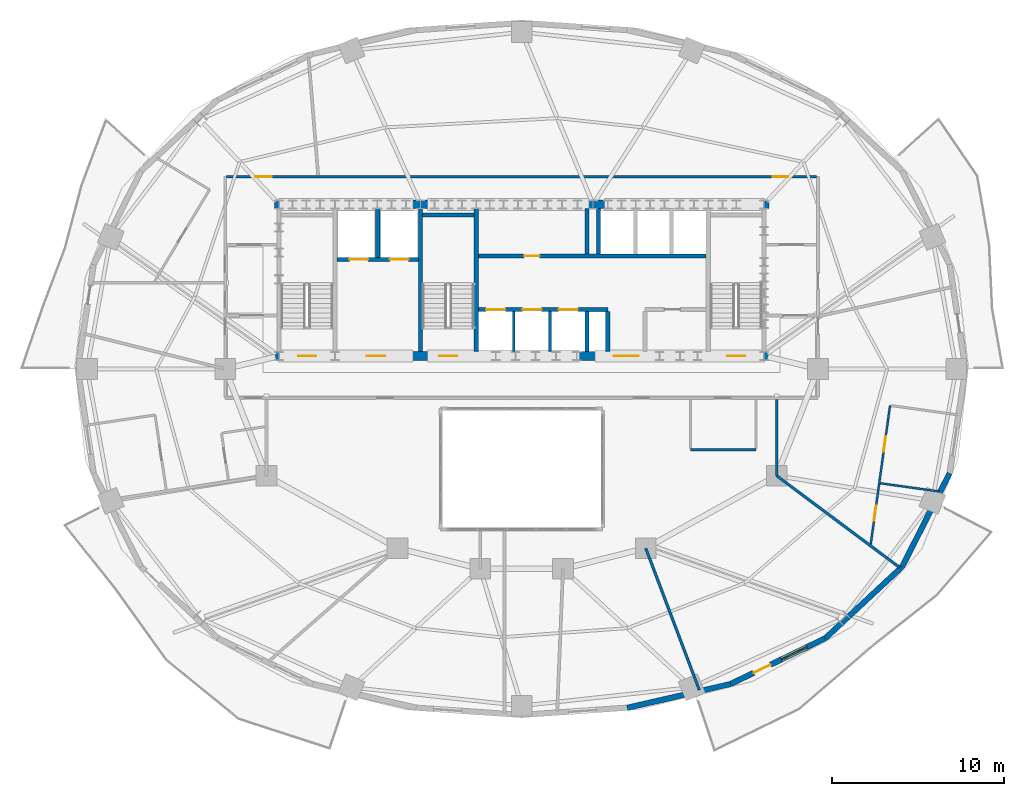
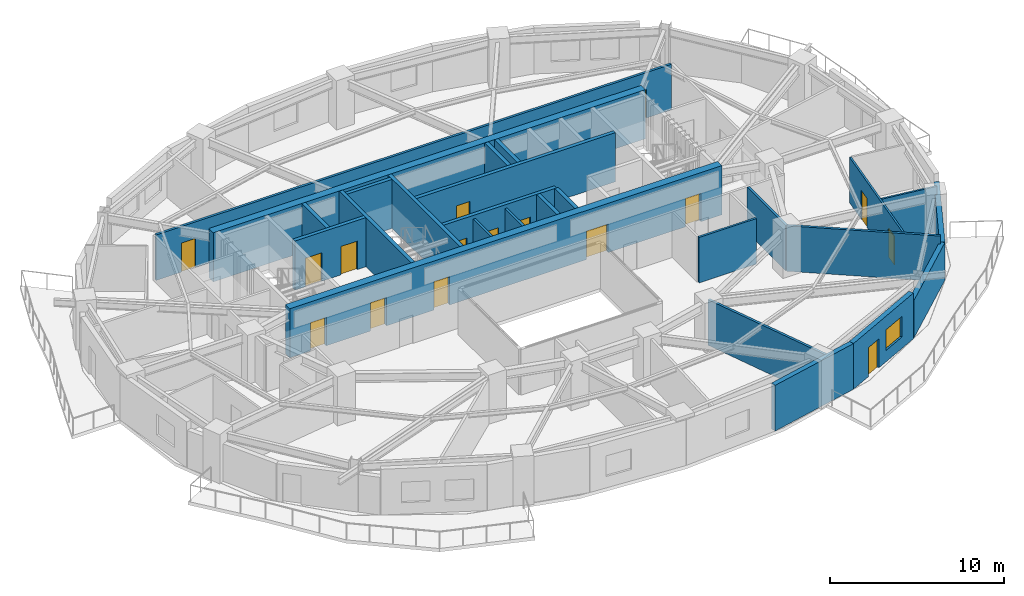
# One storey, part 7 of 12: 26 walls, 16 doors, 1 window, 17 openings.
"""IFC4 building model written with IfcOpenShell, lengths in metres."""

import ifcopenshell
import ifcopenshell.guid

model = None  # the IFC model being written
_history = None  # IfcOwnerHistory: only IFC2X3 demands one
_inside = {}  # id of a spatial element -> (the spatial element, [elements in it])
_under = {}  # id of a project, library or spatial element -> (it, [spatial elements below it])
_declared = {}  # id of a project -> (the project, [libraries it declares])
_typed = {}  # id of a type object -> (the type object, [elements of that type])
_made_of = {}  # id of a material, layer set ... -> (it, [elements and type objects made of it])


def new_model(schema):
    """Start an empty IFC model of exactly this schema.

    Asked for "IFC4X3", IfcOpenShell would pick the latest addendum, in which some entities
    have other attributes; the version numbers below select the first issue.
    IFC2X3 requires an IfcOwnerHistory on every rooted entity: one is made here for all.
    """
    global model, _history
    if schema == "IFC4X3":
        model = ifcopenshell.file(schema_version=(4, 3, 0, 0))
    else:
        model = ifcopenshell.file(schema=schema)
    _inside.clear()
    _under.clear()
    _declared.clear()
    _typed.clear()
    _made_of.clear()
    _history = None
    if model.schema == "IFC2X3":
        org = make("IfcOrganization", Name="unknown")
        user = make(
            "IfcPersonAndOrganization",
            ThePerson=make("IfcPerson", FamilyName="unknown"),
            TheOrganization=org,
        )
        app = make(
            "IfcApplication",
            ApplicationDeveloper=org,
            Version="unknown",
            ApplicationFullName="unknown",
            ApplicationIdentifier="unknown",
        )
        _history = make(
            "IfcOwnerHistory",
            OwningUser=user,
            OwningApplication=app,
            ChangeAction="ADDED",
            CreationDate=0,
        )
    return model


def make(cls, **values):
    """One entity of the class cls with the attributes given. An attribute that is None is left unset."""
    return model.create_entity(
        cls, **{name: value for name, value in values.items() if value is not None}
    )


def rooted(cls, **values):
    """An entity with a GlobalId (a new one), such as an element, a storey or a relation."""
    return make(cls, GlobalId=ifcopenshell.guid.new(), OwnerHistory=_history, **values)


def si_unit(unit_type, name, prefix=None):
    """IfcSIUnit, for example si_unit("LENGTHUNIT", "METRE", prefix="MILLI")."""
    return make("IfcSIUnit", UnitType=unit_type, Prefix=prefix, Name=name)


def assignment(units):
    """IfcUnitAssignment: the units of a project."""
    return None if units is None else make("IfcUnitAssignment", Units=units)


def point(xyz):
    """IfcCartesianPoint."""
    return None if xyz is None else make("IfcCartesianPoint", Coordinates=xyz)


def direction(xyz):
    """IfcDirection."""
    return None if xyz is None else make("IfcDirection", DirectionRatios=xyz)


def frame(location, z_axis=None, x_axis=None):
    """IfcAxis2Placement3D, a coordinate frame: its origin and axes. An axis left out is left unset."""
    return make(
        "IfcAxis2Placement3D",
        Location=point(location),
        Axis=direction(z_axis),
        RefDirection=direction(x_axis),
    )


def frame_2d(location, x_axis=None):
    """IfcAxis2Placement2D, a coordinate frame in the plane: its origin and x axis."""
    return make(
        "IfcAxis2Placement2D", Location=point(location), RefDirection=direction(x_axis)
    )


def origin():
    """The frame at (0, 0, 0) with its axes left unset."""
    return frame((0.0, 0.0, 0.0))


def place(relative_to, where):
    """IfcLocalPlacement: puts the frame where relative to a parent placement (None: the world)."""
    return make(
        "IfcLocalPlacement", PlacementRelTo=relative_to, RelativePlacement=where
    )


def context(
    kind, dimensions, precision=None, world=None, true_north=None, identifier=None
):
    """IfcGeometricRepresentationContext, for example the 3D "Model" context."""
    return make(
        "IfcGeometricRepresentationContext",
        ContextIdentifier=identifier,
        ContextType=kind,
        CoordinateSpaceDimension=dimensions,
        Precision=precision,
        WorldCoordinateSystem=world,
        TrueNorth=true_north,
    )


def subcontext(parent, identifier, kind, view, scale=None):
    """IfcGeometricRepresentationSubContext, for example "Body" below "Model"."""
    return make(
        "IfcGeometricRepresentationSubContext",
        ContextIdentifier=identifier,
        ContextType=kind,
        ParentContext=parent,
        TargetScale=scale,
        TargetView=view,
    )


def project(units=None, contexts=None):
    """IfcProject with its units and contexts."""
    return rooted(
        "IfcProject",
        Name="project",
        RepresentationContexts=contexts,
        UnitsInContext=assignment(units),
    )


def spatial(cls, under=None, at=None, **own):
    """A site, building, storey or space (cls), placed at a placement, below another one or the project."""
    s = rooted(cls, ObjectPlacement=at, **own)
    if under is not None:
        _under.setdefault(under.id(), (under, []))[1].append(s)
    return s


def profile(cls, at=None, kind="AREA", **sizes):
    """A parametric profile (cls). Its sizes go by their IFC names, for example OverallWidth=200.0."""
    return make(cls, ProfileType=kind, Position=at, **sizes)


def rectangle(**sizes):
    """IfcRectangleProfileDef."""
    return profile("IfcRectangleProfileDef", **sizes)


def extrude(swept, where, along, depth):
    """IfcExtrudedAreaSolid: the profile swept, set in the frame where, extruded along a direction by depth."""
    return make(
        "IfcExtrudedAreaSolid",
        SweptArea=swept,
        Position=where,
        ExtrudedDirection=direction(along),
        Depth=depth,
    )


def shape(context_of_items, identifier, shape_type, items):
    """IfcShapeRepresentation: the items that make up one representation, for example the "Body"."""
    return make(
        "IfcShapeRepresentation",
        ContextOfItems=context_of_items,
        RepresentationIdentifier=identifier,
        RepresentationType=shape_type,
        Items=items,
    )


def material(Name=None, Category=None):
    """IfcMaterial."""
    return make("IfcMaterial", Name=Name, Category=Category)


def layer(
    of_material, thickness, ventilated=None, Name=None, Category=None, Priority=None
):
    """IfcMaterialLayer: one layer of a wall or slab, of a material (None: an air gap)."""
    return make(
        "IfcMaterialLayer",
        Material=of_material,
        LayerThickness=thickness,
        IsVentilated=ventilated,
        Name=Name,
        Category=Category,
        Priority=Priority,
    )


def layer_set(layers, Name=None):
    """IfcMaterialLayerSet."""
    return make("IfcMaterialLayerSet", MaterialLayers=layers, LayerSetName=Name)


def made_of(thing, what):
    """Note that an element or type object is made of a material, layer set ...; save() writes the relation."""
    if what is not None:
        _made_of.setdefault(what.id(), (what, []))[1].append(thing)
    return thing


def type_object(cls, material=None, **own):
    """A type object (cls), such as IfcWallType, which elements share."""
    return made_of(rooted(cls, **own), material)


def element(
    cls,
    number,
    at=None,
    inside=None,
    cuts=None,
    type_object=None,
    material=None,
    context=None,
    identifier="Body",
    shape_type=None,
    held_by="IfcProductDefinitionShape",
    body=None,
    shapes=None,
    **own,
):
    """One element of the class cls, such as IfcWall. Its Tag is "e" and its number.

    at: its placement. inside: the storey or other place that contains it. cuts: it is an
    opening in that element (IfcRelVoidsElement). A single representation is given by context,
    identifier, shape_type and body (its items); several are given by shapes. held_by: the class
    of the entity that holds the representations. save() writes the other relations.
    """
    e = rooted(cls, Tag="e%d" % number, ObjectPlacement=at, **own)
    if body is not None:
        shapes = [shape(context, identifier, shape_type, body)]
    if shapes is not None:
        e.Representation = make(held_by, Representations=shapes)
    if inside is not None:
        _inside.setdefault(inside.id(), (inside, []))[1].append(e)
    if cuts is not None:
        rooted(
            "IfcRelVoidsElement", RelatingBuildingElement=cuts, RelatedOpeningElement=e
        )
    if type_object is not None:
        _typed.setdefault(type_object.id(), (type_object, []))[1].append(e)
    return made_of(e, material)


def fill(opening, filler):
    """IfcRelFillsElement: the door or window that sits in an opening."""
    return rooted(
        "IfcRelFillsElement",
        RelatingOpeningElement=opening,
        RelatedBuildingElement=filler,
    )


def aggregate(whole, parts):
    """IfcRelAggregates: a whole, such as a stair, and the parts it consists of."""
    return rooted("IfcRelAggregates", RelatingObject=whole, RelatedObjects=parts)


def save(model, path):
    """Write the relations noted so far, then the file.

    IfcRelAggregates (storeys below a building ...), IfcRelContainedInSpatialStructure (elements
    in a storey), IfcRelDefinesByType, IfcRelAssociatesMaterial and IfcRelDeclares: one each for
    every whole, place, type object, material and project.
    """
    for whole, parts in _under.values():
        aggregate(whole, parts)
    for where, things in _inside.values():
        rooted(
            "IfcRelContainedInSpatialStructure",
            RelatedElements=things,
            RelatingStructure=where,
        )
    for kind, things in _typed.values():
        rooted("IfcRelDefinesByType", RelatedObjects=things, RelatingType=kind)
    for what, things in _made_of.values():
        rooted("IfcRelAssociatesMaterial", RelatedObjects=things, RelatingMaterial=what)
    for by, libraries in _declared.values():
        rooted("IfcRelDeclares", RelatingContext=by, RelatedDefinitions=libraries)
    model.write(path)


model = new_model("IFC4")

# Units and contexts
model_context = context("Model", 3, precision=1e-05, world=origin(), true_north=direction((0.0, 1.0)))
body_context = subcontext(model_context, "Body", "Model", "MODEL_VIEW")
ifc_project = project(units=[si_unit("LENGTHUNIT", "METRE"), si_unit("AREAUNIT", "SQUARE_METRE"), si_unit("VOLUMEUNIT", "CUBIC_METRE"), si_unit("PLANEANGLEUNIT", "RADIAN"), si_unit("MASSUNIT", "GRAM", prefix="KILO")], contexts=[model_context])

# Site, building, storey
site_placement = place(None, origin())
site = spatial("IfcSite", under=ifc_project, at=site_placement, CompositionType="ELEMENT")
building_placement = place(site_placement, origin())
building = spatial("IfcBuilding", under=site, at=building_placement, Name="Haldorwick Loom Tower", CompositionType="ELEMENT")
storey_placement = place(building_placement, frame((0.0, 0.0, 161.35009765625)))
storey = spatial("IfcBuildingStorey", under=building, at=storey_placement, Name="L43", CompositionType="ELEMENT", Elevation=161.35009765625)

# Wall
ifc_material_1 = material(Name="Pressed Clay Face Brick and Insulated Masonry Backup Assembly", Category="masonry")
ifc_layer_1 = layer(ifc_material_1, 0.320068359375, Name="Pressed Clay Face Brick and Insulated Masonry Backup Assembly", Category="masonry")
ifc_layer_set_1 = layer_set([ifc_layer_1], Name="Pressed Clay Face Brick and Insulated Masonry Backup Assembly")
wall_type_1 = type_object("IfcWallType", Name="ARC-WL-EXT320", PredefinedType="STANDARD", material=ifc_layer_set_1)
wall_1_placement = place(storey_placement, frame((42.12890625, 6.3359375, 0.0), z_axis=(0.0, 0.0, 1.0), x_axis=(0.974593223547, 0.223982250674, 0.0)))
element("IfcWall", 1, at=wall_1_placement, inside=storey, type_object=wall_type_1, Name="L43 Brick Pier and Spandrel Wall 20", PredefinedType="STANDARD", context=body_context, shape_type="SweptSolid", body=[
    extrude(rectangle(XDim=6.138916015625, YDim=0.320068359375, at=frame_2d((3.0693359375, 0.0))), origin(), (0.0, 0.0, 1.0), 3.2099609375),
])

# Wall, openings, door, window
wall_2_placement = place(storey_placement, frame((48.11181640625, 7.7109375, 0.0), z_axis=(0.0, 0.0, 1.0), x_axis=(0.900479976617, 0.434897472644, 0.0)))
wall_2 = element("IfcWall", 2, at=wall_2_placement, inside=storey, type_object=wall_type_1, Name="L43 Brick Pier and Spandrel Wall 21", PredefinedType="STANDARD", context=body_context, shape_type="SweptSolid", body=[
    extrude(rectangle(XDim=6.118408203125, YDim=0.320068359375, at=frame_2d((3.05908203125, 0.0))), origin(), (0.0, 0.0, 1.0), 3.2099609375),
])
opening_1_placement = place(wall_2_placement, frame((1.50634765625, 0.0, 0.0)))
opening_1 = element("IfcOpeningElement", 3, at=opening_1_placement, cuts=wall_2, Name="Opening D-BL11", PredefinedType="OPENING", context=body_context, shape_type="SweptSolid", body=[
    extrude(rectangle(XDim=1.080078125, YDim=2.0400390625, at=frame_2d((0.5400390625, 1.02001953125))), frame((0.0, 0.169921875, 0.0), z_axis=(0.0, -1.0, 0.0), x_axis=(1.0, 0.0, 0.0)), (0.0, 0.0, 1.0), 0.340087890625),
])
opening_2_placement = place(wall_2_placement, frame((3.28662109375, 0.0, 0.800048828125)))
opening_2 = element("IfcOpeningElement", 4, at=opening_2_placement, cuts=wall_2, Name="Opening W-01B", PredefinedType="OPENING", context=body_context, shape_type="SweptSolid", body=[
    extrude(rectangle(XDim=1.64990234375, YDim=1.449951171875, at=frame_2d((0.824951171875, 0.72509765625))), frame((0.0, 0.169921875, 0.0), z_axis=(0.0, -1.0, 0.0), x_axis=(1.0, 0.0, 0.0)), (0.0, 0.0, 1.0), 0.340087890625),
])
ifc_material_2 = material(Name="Thermally Broken Anodized Aluminium Curtain Wall Framing", Category="aluminium")
door_type_1 = type_object("IfcDoorType", Name="ARC-DR-BAL110", OperationType="NOTDEFINED", PredefinedType="DOOR", material=ifc_material_2)
door_1_placement = place(opening_1_placement, origin())
door_1 = element("IfcDoor", 5, at=door_1_placement, inside=storey, type_object=door_type_1, Name="L43 Outdoor Terrace Door SLB-L43-BAL_SE", OperationType="SINGLE_SWING_RIGHT", OverallHeight=2.0400390625, OverallWidth=1.080078125, PredefinedType="DOOR", context=body_context, shape_type="SweptSolid", body=[
    extrude(rectangle(XDim=1.080078125, YDim=2.0400390625, at=frame_2d((0.5400390625, 1.02001953125))), frame((0.0, 0.02490234375, 0.0), z_axis=(0.0, -1.0, 0.0), x_axis=(1.0, 0.0, 0.0)), (0.0, 0.0, 1.0), 0.050048828125),
])
fill(opening_1, door_1)
ifc_material_3 = material(Name="Triple-Glazed Low-E Argon Insulated Glazing Unit", Category="glass")
window_type = type_object("IfcWindowType", Name="ARC-WIN-W165", PartitioningType="SINGLE_PANEL", PredefinedType="WINDOW", material=ifc_material_3)
window_placement = place(opening_2_placement, origin())
window = element("IfcWindow", 6, at=window_placement, inside=storey, type_object=window_type, Name="L43 Deep-Set Zone 7A Window 21", OverallHeight=1.449951171875, OverallWidth=1.64990234375, PartitioningType="SINGLE_PANEL", PredefinedType="WINDOW", context=body_context, shape_type="SweptSolid", body=[
    extrude(rectangle(XDim=1.64990234375, YDim=1.449951171875, at=frame_2d((0.824951171875, 0.72509765625))), frame((0.0, 0.030029296875, 0.0), z_axis=(0.0, -1.0, 0.0), x_axis=(1.0, 0.0, 0.0)), (0.0, 0.0, 1.0), 0.06005859375),
])
fill(opening_2, window)

# Walls
for number, where, z_axis, x_axis, name in (
    (7, (53.621337890625, 10.371826171875, 0.0), (0.0, 0.0, 1.0), (0.731982952968, 0.681322945866, 0.0), "L43 Brick Pier and Spandrel Wall 22"),
    (8, (58.07666015625, 14.518798828125, 0.0), (0.0, 0.0, 1.0), (0.453172129629, 0.89142303141, 0.0), "L43 Brick Pier and Spandrel Wall 23"),
):
    element("IfcWall", number, at=place(storey_placement, frame(where, z_axis=z_axis, x_axis=x_axis)), inside=storey, type_object=wall_type_1, Name=name, PredefinedType="STANDARD", context=body_context, shape_type="SweptSolid", body=[
        extrude(rectangle(XDim=6.086669921875, YDim=0.320068359375, at=frame_2d((3.04345703125, 0.0))), origin(), (0.0, 0.0, 1.0), 2.640869140625),
    ])

# Wall, openings, doors
ifc_material_4 = material(Name="Fire-Rated Type X Gypsum Stud Assembly EI 60")
ifc_layer_2 = layer(ifc_material_4, 0.159912109375, Name="Fire-Rated Type X Gypsum Stud Assembly EI 60")
ifc_layer_set_2 = layer_set([ifc_layer_2], Name="Fire-Rated Type X Gypsum Stud Assembly EI 60")
wall_type_2 = type_object("IfcWallType", Name="ARC-WL-FIRE160", PredefinedType="PARTITIONING", material=ifc_layer_set_2)
wall_3_placement = place(storey_placement, frame((18.883056640625, 37.14990234375, 0.0), z_axis=(0.0, 0.0, 1.0), x_axis=(1.0, 0.0, 0.0)))
wall_3 = element("IfcWall", 9, at=wall_3_placement, inside=storey, type_object=wall_type_2, Name="L43 Residential Fire Partition L43-CR-N0", PredefinedType="PARTITIONING", context=body_context, shape_type="SweptSolid", body=[
    extrude(rectangle(XDim=34.23388671875, YDim=0.159912109375, at=frame_2d((17.116943359375, 0.0))), origin(), (0.0, 0.0, 1.0), 3.19482421875),
])
opening_3_placement = place(wall_3_placement, frame((31.67431640625, 0.0, 0.0)))
opening_3 = element("IfcOpeningElement", 10, at=opening_3_placement, cuts=wall_3, Name="Opening D-FD60A", PredefinedType="OPENING", context=body_context, shape_type="SweptSolid", body=[
    extrude(rectangle(XDim=0.89990234375, YDim=2.0, at=frame_2d((0.449951171875, 1.0))), frame((0.0, 0.08984375, 0.0), z_axis=(0.0, -1.0, 0.0), x_axis=(1.0, 0.0, 0.0)), (0.0, 0.0, 1.0), 0.179931640625),
])
opening_4_placement = place(wall_3_placement, frame((1.663330078125, 0.0, 0.0)))
opening_4 = element("IfcOpeningElement", 11, at=opening_4_placement, cuts=wall_3, Name="Opening D-FL95", PredefinedType="OPENING", context=body_context, shape_type="SweptSolid", body=[
    extrude(rectangle(XDim=0.949951171875, YDim=2.0400390625, at=frame_2d((0.47509765625, 1.02001953125))), frame((0.0, 0.08984375, 0.0), z_axis=(0.0, -1.0, 0.0), x_axis=(1.0, 0.0, 0.0)), (0.0, 0.0, 1.0), 0.179931640625),
])
ifc_material_5 = material(Name="Hollow Steel Fire Door Assembly", Category="steel")
door_type_2 = type_object("IfcDoorType", Name="ARC-DR-FD60-90", OperationType="NOTDEFINED", PredefinedType="DOOR", material=ifc_material_5)
door_2_placement = place(opening_3_placement, frame((0.89990234375, 0.0, 0.0), z_axis=(0.0, 0.0, 1.0), x_axis=(-1.0, 0.0, 0.0)))
door_2 = element("IfcDoor", 12, at=door_2_placement, inside=storey, type_object=door_type_2, Name="L43 Co-Working Open Office 7 to L43 North Residential Corridor Door", OperationType="SINGLE_SWING_RIGHT", OverallHeight=2.0, OverallWidth=0.89990234375, PredefinedType="DOOR", context=body_context, shape_type="SweptSolid", body=[
    extrude(rectangle(XDim=0.89990234375, YDim=2.0, at=frame_2d((0.449951171875, 1.0))), frame((0.0, 0.02490234375, 0.0), z_axis=(0.0, -1.0, 0.0), x_axis=(1.0, 0.0, 0.0)), (0.0, 0.0, 1.0), 0.050048828125),
])
fill(opening_3, door_2)
ifc_material_6 = material(Name="Solid Core Birch Architectural Door")
door_type_3 = type_object("IfcDoorType", Name="ARC-DR-FLAT95", OperationType="NOTDEFINED", PredefinedType="DOOR", material=ifc_material_6)
door_3_placement = place(opening_4_placement, frame((0.949951171875, 0.0, 0.0), z_axis=(0.0, 0.0, 1.0), x_axis=(-1.0, 0.0, 0.0)))
door_3 = element("IfcDoor", 13, at=door_3_placement, inside=storey, type_object=door_type_3, Name="L43 Unit 43B Kitchen and Studio Living Room to L43 North Residential Cor", OperationType="SINGLE_SWING_RIGHT", OverallHeight=2.0400390625, OverallWidth=0.949951171875, PredefinedType="DOOR", context=body_context, shape_type="SweptSolid", body=[
    extrude(rectangle(XDim=0.949951171875, YDim=2.0400390625, at=frame_2d((0.47509765625, 1.02001953125))), frame((0.0, 0.02490234375, 0.0), z_axis=(0.0, -1.0, 0.0), x_axis=(1.0, 0.0, 0.0)), (0.0, 0.0, 1.0), 0.050048828125),
])
fill(opening_4, door_3)

# Walls
wall_4_placement = place(storey_placement, frame((50.800048828125, 19.800048828125, 0.0), z_axis=(0.0, 0.0, 1.0), x_axis=(0.801455478529, -0.598054442284, 0.0)))
element("IfcWall", 14, at=wall_4_placement, inside=storey, type_object=wall_type_2, Name="L43 Residential Fire Partition L43-ICR-02", PredefinedType="PARTITIONING", context=body_context, shape_type="SweptSolid", body=[
    extrude(rectangle(XDim=8.902587890625, YDim=0.159912109375, at=frame_2d((4.451171875, 0.0))), origin(), (0.0, 0.0, 1.0), 3.19482421875),
])
wall_5_placement = place(storey_placement, frame((43.199951171875, 15.60009765625, 0.0), z_axis=(0.0, 0.0, 1.0), x_axis=(0.353392479759, -0.935475149456, 0.0)))
element("IfcWall", 15, at=wall_5_placement, inside=storey, type_object=wall_type_2, Name="L43 Residential Fire Partition L43-ICR-04", PredefinedType="PARTITIONING", context=body_context, shape_type="SweptSolid", body=[
    extrude(rectangle(XDim=8.80419921875, YDim=0.159912109375, at=frame_2d((4.402099609375, 0.0))), origin(), (0.0, 0.0, 1.0), 3.19482421875),
])
wall_6_placement = place(storey_placement, frame((50.800048828125, 24.217041015625, 0.0), z_axis=(0.0, 0.0, 1.0), x_axis=(0.0, -1.0, 0.0)))
element("IfcWall", 16, at=wall_6_placement, inside=storey, type_object=wall_type_2, Name="L43 Residential Fire Partition L43-ICA-01", PredefinedType="PARTITIONING", context=body_context, shape_type="SweptSolid", body=[
    extrude(rectangle(XDim=4.4169921875, YDim=0.159912109375, at=frame_2d((2.20849609375, 0.0))), origin(), (0.0, 0.0, 1.0), 3.19482421875),
])

# Wall, openings, doors
ifc_material_7 = material(Name="Acoustic Gypsum Stud Assembly STC 55")
ifc_layer_3 = layer(ifc_material_7, 0.1201171875, Name="Acoustic Gypsum Stud Assembly STC 55")
ifc_layer_set_3 = layer_set([ifc_layer_3], Name="Acoustic Gypsum Stud Assembly STC 55")
wall_type_3 = type_object("IfcWallType", Name="ARC-WL-PART120", PredefinedType="PARTITIONING", material=ifc_layer_set_3)
wall_7_placement = place(storey_placement, frame((56.2568359375, 15.831787109375, 0.0), z_axis=(0.0, 0.0, 1.0), x_axis=(0.1379130141, 0.990444345, 0.0)))
wall_7 = element("IfcWall", 17, at=wall_7_placement, inside=storey, type_object=wall_type_3, Name="L43 Unit 43C Interior Partition", PredefinedType="PARTITIONING", context=body_context, shape_type="SweptSolid", body=[
    extrude(rectangle(XDim=8.127197265625, YDim=0.1201171875, at=frame_2d((4.0634765625, 0.0))), origin(), (0.0, 0.0, 1.0), 3.19482421875),
])
opening_5_placement = place(wall_7_placement, frame((5.419921875, 0.0, 0.0)))
opening_5 = element("IfcOpeningElement", 18, at=opening_5_placement, cuts=wall_7, Name="Opening D-IN90", PredefinedType="OPENING", context=body_context, shape_type="SweptSolid", body=[
    extrude(rectangle(XDim=0.89990234375, YDim=2.0400390625, at=frame_2d((0.449951171875, 1.02001953125))), frame((0.0, 0.070068359375, 0.0), z_axis=(0.0, -1.0, 0.0), x_axis=(1.0, 0.0, 0.0)), (0.0, 0.0, 1.0), 0.14013671875),
])
opening_6_placement = place(wall_7_placement, frame((1.3662109375, 0.0, 0.0)))
opening_6 = element("IfcOpeningElement", 19, at=opening_6_placement, cuts=wall_7, Name="Opening D-BT88", PredefinedType="OPENING", context=body_context, shape_type="SweptSolid", body=[
    extrude(rectangle(XDim=0.8798828125, YDim=2.02001953125, at=frame_2d((0.43994140625, 1.010009765625))), frame((0.0, 0.070068359375, 0.0), z_axis=(0.0, -1.0, 0.0), x_axis=(1.0, 0.0, 0.0)), (0.0, 0.0, 1.0), 0.14013671875),
])
door_type_4 = type_object("IfcDoorType", Name="ARC-DR-BATH88", OperationType="NOTDEFINED", PredefinedType="DOOR", material=ifc_material_6)
door_4_placement = place(opening_6_placement, origin())
door_4 = element("IfcDoor", 20, at=door_4_placement, inside=storey, type_object=door_type_4, Name="L43 Unit 43C Kitchen and Penthouse Living Room to Unit 43C Bathroom Door", OperationType="SINGLE_SWING_RIGHT", OverallHeight=2.02001953125, OverallWidth=0.8798828125, PredefinedType="DOOR", context=body_context, shape_type="SweptSolid", body=[
    extrude(rectangle(XDim=0.8798828125, YDim=2.02001953125, at=frame_2d((0.43994140625, 1.010009765625))), frame((0.0, 0.02490234375, 0.0), z_axis=(0.0, -1.0, 0.0), x_axis=(1.0, 0.0, 0.0)), (0.0, 0.0, 1.0), 0.050048828125),
])
fill(opening_6, door_4)
door_type_5 = type_object("IfcDoorType", Name="ARC-DR-INT90", OperationType="NOTDEFINED", PredefinedType="DOOR", material=ifc_material_6)
door_5_placement = place(opening_5_placement, origin())
door_5 = element("IfcDoor", 21, at=door_5_placement, inside=storey, type_object=door_type_5, Name="L43 Unit 43C Kitchen and Penthouse Living Room to Unit 43C Bedroom 1 Doo", OperationType="SINGLE_SWING_RIGHT", OverallHeight=2.0400390625, OverallWidth=0.89990234375, PredefinedType="DOOR", context=body_context, shape_type="SweptSolid", body=[
    extrude(rectangle(XDim=0.89990234375, YDim=2.0400390625, at=frame_2d((0.449951171875, 1.02001953125))), frame((0.0, 0.02490234375, 0.0), z_axis=(0.0, -1.0, 0.0), x_axis=(1.0, 0.0, 0.0)), (0.0, 0.0, 1.0), 0.050048828125),
])
fill(opening_5, door_5)

# Walls
wall_8_placement = place(storey_placement, frame((56.812255859375, 19.36376953125, 0.0), z_axis=(0.0, 0.0, 1.0), x_axis=(0.99043936958, -0.137948741153, 0.0)))
element("IfcWall", 22, at=wall_8_placement, inside=storey, type_object=wall_type_3, Name="L43 Unit 43C Interior Partition", PredefinedType="PARTITIONING", context=body_context, shape_type="SweptSolid", body=[
    extrude(rectangle(XDim=3.44580078125, YDim=0.1201171875, at=frame_2d((1.722900390625, 0.0))), origin(), (0.0, 0.0, 1.0), 3.19482421875),
])
ifc_layer_4 = layer(ifc_material_4, 0.139892578125, Name="Fire-Rated Type X Gypsum Stud Assembly EI 60")
ifc_layer_set_4 = layer_set([ifc_layer_4], Name="Fire-Rated Type X Gypsum Stud Assembly EI 60")
wall_type_4 = type_object("IfcWallType", Name="ARC-WL-PART140", PredefinedType="PARTITIONING", material=ifc_layer_set_4)
wall_9_placement = place(storey_placement, frame((45.800048828125, 21.300048828125, 0.0), z_axis=(0.0, 0.0, 1.0), x_axis=(1.0, 0.0, 0.0)))
element("IfcWall", 23, at=wall_9_placement, inside=storey, type_object=wall_type_4, Name="L43 Residential Fire Partition L43-CWC-S", PredefinedType="PARTITIONING", context=body_context, shape_type="SweptSolid", body=[
    extrude(rectangle(XDim=3.800048828125, YDim=0.139892578125, at=frame_2d((1.89990234375, 0.0))), origin(), (0.0, 0.0, 1.0), 3.19482421875),
])
ifc_material_8 = material(Name="Fire-Rated Type X Gypsum Stud Assembly EI 120")
ifc_layer_5 = layer(ifc_material_8, 0.1650390625, Name="Fire-Rated Type X Gypsum Stud Assembly EI 120")
ifc_layer_set_5 = layer_set([ifc_layer_5], Name="Fire-Rated Type X Gypsum Stud Assembly EI 120")
wall_type_5 = type_object("IfcWallType", Name="ARC-WL-SHAFT160", PredefinedType="MOVABLE", material=ifc_layer_set_5)
for number, where, z_axis, x_axis, name in (
    (24, (35.550048828125, 27.0029296875, 0.0), (0.0, 0.0, 1.0), (0.0, 1.0, 0.0), "L43 Mid-Rise Hoistway Divider 1"),
    (25, (37.64990234375, 27.0029296875, 0.0), (0.0, 0.0, 1.0), (0.0, 1.0, 0.0), "L43 Mid-Rise Hoistway Divider 2"),
):
    element("IfcWall", number, at=place(storey_placement, frame(where, z_axis=z_axis, x_axis=x_axis)), inside=storey, type_object=wall_type_5, Name=name, PredefinedType="MOVABLE", context=body_context, shape_type="SweptSolid", body=[
        extrude(rectangle(XDim=2.323974609375, YDim=0.159912109375, at=frame_2d((1.162109375, 0.0))), origin(), (0.0, 0.0, 1.0), 3.19482421875),
    ])

# Wall, openings, doors
ifc_material_9 = material(Name="Concrete C60 (60 MPa)", Category="concrete")
ifc_layer_6 = layer(ifc_material_9, 0.5, Name="Concrete C60 (60 MPa)", Category="concrete")
ifc_layer_set_6 = layer_set([ifc_layer_6], Name="Concrete C60 (60 MPa)")
wall_type_6 = type_object("IfcWallType", Name="STR-WL-CORE500", PredefinedType="SHEAR", material=ifc_layer_set_6)
wall_10_placement = place(storey_placement, frame((21.64990234375, 26.75, 0.0), z_axis=(0.0, 0.0, 1.0), x_axis=(1.0, 0.0, 0.0)))
wall_10 = element("IfcWall", 26, at=wall_10_placement, inside=storey, type_object=wall_type_6, Name="L43 Core Shear Wall S", PredefinedType="SHEAR", context=body_context, shape_type="SweptSolid", body=[
    extrude(rectangle(XDim=28.7001953125, YDim=0.5, at=frame_2d((14.35009765625, 0.0))), origin(), (0.0, 0.0, 1.0), 3.449951171875),
])
opening_7_placement = place(wall_10_placement, frame((1.375, 0.0, 0.0)))
opening_7 = element("IfcOpeningElement", 27, at=opening_7_placement, cuts=wall_10, Name="Opening D-FD60", PredefinedType="OPENING", context=body_context, shape_type="SweptSolid", body=[
    extrude(rectangle(XDim=1.050048828125, YDim=2.0, at=frame_2d((0.52490234375, 1.0))), frame((0.0, 0.260009765625, 0.0), z_axis=(0.0, -1.0, 0.0), x_axis=(1.0, 0.0, 0.0)), (0.0, 0.0, 1.0), 0.52001953125),
])
opening_8_placement = place(wall_10_placement, frame((5.375, 0.0, 0.0)))
opening_8 = element("IfcOpeningElement", 28, at=opening_8_placement, cuts=wall_10, Name="Opening D-FD60", PredefinedType="OPENING", context=body_context, shape_type="SweptSolid", body=[
    extrude(rectangle(XDim=1.050048828125, YDim=2.0, at=frame_2d((0.52490234375, 1.0))), frame((0.0, 0.260009765625, 0.0), z_axis=(0.0, -1.0, 0.0), x_axis=(1.0, 0.0, 0.0)), (0.0, 0.0, 1.0), 0.52001953125),
])
opening_9_placement = place(wall_10_placement, frame((9.574951171875, 0.0, 0.0)))
opening_9 = element("IfcOpeningElement", 29, at=opening_9_placement, cuts=wall_10, Name="Opening D-FD60", PredefinedType="OPENING", context=body_context, shape_type="SweptSolid", body=[
    extrude(rectangle(XDim=1.050048828125, YDim=2.0, at=frame_2d((0.52490234375, 1.0))), frame((0.0, 0.260009765625, 0.0), z_axis=(0.0, -1.0, 0.0), x_axis=(1.0, 0.0, 0.0)), (0.0, 0.0, 1.0), 0.52001953125),
])
opening_10_placement = place(wall_10_placement, frame((19.705078125, 0.0, 0.0)))
opening_10 = element("IfcOpeningElement", 30, at=opening_10_placement, cuts=wall_10, Name="Opening D-LB15", PredefinedType="OPENING", context=body_context, shape_type="SweptSolid", body=[
    extrude(rectangle(XDim=1.449951171875, YDim=2.0, at=frame_2d((0.72509765625, 1.0))), frame((0.0, 0.260009765625, 0.0), z_axis=(0.0, -1.0, 0.0), x_axis=(1.0, 0.0, 0.0)), (0.0, 0.0, 1.0), 0.52001953125),
])
opening_11_placement = place(wall_10_placement, frame((26.27490234375, 0.0, 0.0)))
opening_11 = element("IfcOpeningElement", 31, at=opening_11_placement, cuts=wall_10, Name="Opening D-FD60", PredefinedType="OPENING", context=body_context, shape_type="SweptSolid", body=[
    extrude(rectangle(XDim=1.050048828125, YDim=2.0, at=frame_2d((0.52490234375, 1.0))), frame((0.0, 0.260009765625, 0.0), z_axis=(0.0, -1.0, 0.0), x_axis=(1.0, 0.0, 0.0)), (0.0, 0.0, 1.0), 0.52001953125),
])
door_type_6 = type_object("IfcDoorType", Name="ARC-DR-FD60", OperationType="NOTDEFINED", PredefinedType="DOOR", material=ifc_material_5)
door_6_placement = place(opening_7_placement, origin())
door_6 = element("IfcDoor", 32, at=door_6_placement, inside=storey, type_object=door_type_6, Name="L43 Exit Stair ST-01 Fire Door", OperationType="SINGLE_SWING_LEFT", OverallHeight=2.0, OverallWidth=1.050048828125, PredefinedType="DOOR", context=body_context, shape_type="SweptSolid", body=[
    extrude(rectangle(XDim=1.050048828125, YDim=2.0, at=frame_2d((0.52490234375, 1.0))), frame((0.0, 0.02490234375, 0.0), z_axis=(0.0, -1.0, 0.0), x_axis=(1.0, 0.0, 0.0)), (0.0, 0.0, 1.0), 0.050048828125),
])
fill(opening_7, door_6)
door_7_placement = place(opening_8_placement, origin())
door_7 = element("IfcDoor", 33, at=door_7_placement, inside=storey, type_object=door_type_6, Name="L43 Firefighting Lift Lobby Fire Door", OperationType="SINGLE_SWING_RIGHT", OverallHeight=2.0, OverallWidth=1.050048828125, PredefinedType="DOOR", context=body_context, shape_type="SweptSolid", body=[
    extrude(rectangle(XDim=1.050048828125, YDim=2.0, at=frame_2d((0.52490234375, 1.0))), frame((0.0, 0.02490234375, 0.0), z_axis=(0.0, -1.0, 0.0), x_axis=(1.0, 0.0, 0.0)), (0.0, 0.0, 1.0), 0.050048828125),
])
fill(opening_8, door_7)
door_8_placement = place(opening_9_placement, origin())
door_8 = element("IfcDoor", 34, at=door_8_placement, inside=storey, type_object=door_type_6, Name="L43 Exit Stair ST-03 Fire Door", OperationType="SINGLE_SWING_LEFT", OverallHeight=2.0, OverallWidth=1.050048828125, PredefinedType="DOOR", context=body_context, shape_type="SweptSolid", body=[
    extrude(rectangle(XDim=1.050048828125, YDim=2.0, at=frame_2d((0.52490234375, 1.0))), frame((0.0, 0.02490234375, 0.0), z_axis=(0.0, -1.0, 0.0), x_axis=(1.0, 0.0, 0.0)), (0.0, 0.0, 1.0), 0.050048828125),
])
fill(opening_9, door_8)
door_9_placement = place(opening_11_placement, origin())
door_9 = element("IfcDoor", 35, at=door_9_placement, inside=storey, type_object=door_type_6, Name="L43 Exit Stair ST-02 Fire Door", OperationType="SINGLE_SWING_LEFT", OverallHeight=2.0, OverallWidth=1.050048828125, PredefinedType="DOOR", context=body_context, shape_type="SweptSolid", body=[
    extrude(rectangle(XDim=1.050048828125, YDim=2.0, at=frame_2d((0.52490234375, 1.0))), frame((0.0, 0.02490234375, 0.0), z_axis=(0.0, -1.0, 0.0), x_axis=(1.0, 0.0, 0.0)), (0.0, 0.0, 1.0), 0.050048828125),
])
fill(opening_11, door_9)
ifc_material_10 = material(Name="Thermally Broken Anodized Aluminium and Tempered Glass", Category="aluminium")
door_type_7 = type_object("IfcDoorType", Name="ARC-DR-LOB150", OperationType="NOTDEFINED", PredefinedType="DOOR", material=ifc_material_10)
door_10_placement = place(opening_10_placement, frame((1.449951171875, 0.0, 0.0), z_axis=(0.0, 0.0, 1.0), x_axis=(-1.0, 0.0, 0.0)))
door_10 = element("IfcDoor", 36, at=door_10_placement, inside=storey, type_object=door_type_7, Name="L43 Passenger Lift Lobby Fire Door", OperationType="DOUBLE_DOOR_SINGLE_SWING", OverallHeight=2.0, OverallWidth=1.449951171875, PredefinedType="DOOR", context=body_context, shape_type="SweptSolid", body=[
    extrude(rectangle(XDim=1.449951171875, YDim=2.0, at=frame_2d((0.72509765625, 1.0))), frame((0.0, 0.02490234375, 0.0), z_axis=(0.0, -1.0, 0.0), x_axis=(1.0, 0.0, 0.0)), (0.0, 0.0, 1.0), 0.050048828125),
])
fill(opening_10, door_10)

# Walls
wall_11_placement = place(storey_placement, frame((50.35009765625, 35.550048828125, 0.0), z_axis=(0.0, 0.0, 1.0), x_axis=(-1.0, 0.0, 0.0)))
element("IfcWall", 37, at=wall_11_placement, inside=storey, type_object=wall_type_6, Name="L43 Core Shear Wall N", PredefinedType="SHEAR", context=body_context, shape_type="SweptSolid", body=[
    extrude(rectangle(XDim=28.7001953125, YDim=0.5, at=frame_2d((14.35009765625, 0.0))), origin(), (0.0, 0.0, 1.0), 3.449951171875),
])
ifc_material_11 = material(Name="Concrete C50 (50 MPa)", Category="concrete")
ifc_layer_7 = layer(ifc_material_11, 0.239990234375, Name="Concrete C50 (50 MPa)", Category="concrete")
ifc_layer_set_7 = layer_set([ifc_layer_7], Name="Concrete C50 (50 MPa)")
wall_type_7 = type_object("IfcWallType", Name="STR-WL-SHAFT240", PredefinedType="SHEAR", material=ifc_layer_set_7)
for number, where, z_axis, x_axis, name in (
    (38, (30.1298828125, 27.0029296875, 0.0), (0.0, 0.0, 1.0), (0.0, 1.0, 0.0), "L43 Core Shear Wall 2"),
    (39, (33.3701171875, 27.0029296875, 0.0), (0.0, 0.0, 1.0), (0.0, 1.0, 0.0), "L43 Core Shear Wall 3"),
):
    element("IfcWall", number, at=place(storey_placement, frame(where, z_axis=z_axis, x_axis=x_axis)), inside=storey, type_object=wall_type_7, Name=name, PredefinedType="SHEAR", context=body_context, shape_type="SweptSolid", body=[
        extrude(rectangle(XDim=8.294189453125, YDim=0.239990234375, at=frame_2d((4.14697265625, 0.0))), origin(), (0.0, 0.0, 1.0), 3.449951171875),
    ])
wall_12_placement = place(storey_placement, frame((30.2529296875, 34.919921875, 0.0), z_axis=(0.0, 0.0, 1.0), x_axis=(1.0, 0.0, 0.0)))
element("IfcWall", 40, at=wall_12_placement, inside=storey, type_object=wall_type_7, Name="L43 Core Shear Wall 3N", PredefinedType="SHEAR", context=body_context, shape_type="SweptSolid", body=[
    extrude(rectangle(XDim=2.994140625, YDim=0.239990234375, at=frame_2d((1.4970703125, 0.0))), origin(), (0.0, 0.0, 1.0), 3.449951171875),
])

# Wall, openings, doors
wall_13_placement = place(storey_placement, frame((25.29296875, 32.35009765625, 0.0), z_axis=(0.0, 0.0, 1.0), x_axis=(1.0, 0.0, 0.0)))
wall_13 = element("IfcWall", 41, at=wall_13_placement, inside=storey, type_object=wall_type_7, Name="L43 Core Shear Wall FF", PredefinedType="SHEAR", context=body_context, shape_type="SweptSolid", body=[
    extrude(rectangle(XDim=4.714111328125, YDim=0.239990234375, at=frame_2d((2.35693359375, 0.0))), origin(), (0.0, 0.0, 1.0), 3.449951171875),
])
opening_12_placement = place(wall_13_placement, frame((0.70703125, 0.0, 0.0)))
opening_12 = element("IfcOpeningElement", 42, at=opening_12_placement, cuts=wall_13, Name="Opening LD-FF1", PredefinedType="OPENING", context=body_context, shape_type="SweptSolid", body=[
    extrude(rectangle(XDim=1.10009765625, YDim=2.0, at=frame_2d((0.550048828125, 1.0))), frame((0.0, 0.1298828125, 0.0), z_axis=(0.0, -1.0, 0.0), x_axis=(1.0, 0.0, 0.0)), (0.0, 0.0, 1.0), 0.260009765625),
])
opening_13_placement = place(wall_13_placement, frame((3.056884765625, 0.0, 0.0)))
opening_13 = element("IfcOpeningElement", 43, at=opening_13_placement, cuts=wall_13, Name="Opening LD-FF2", PredefinedType="OPENING", context=body_context, shape_type="SweptSolid", body=[
    extrude(rectangle(XDim=1.10009765625, YDim=2.0, at=frame_2d((0.550048828125, 1.0))), frame((0.0, 0.1298828125, 0.0), z_axis=(0.0, -1.0, 0.0), x_axis=(1.0, 0.0, 0.0)), (0.0, 0.0, 1.0), 0.260009765625),
])
door_type_8 = type_object("IfcDoorType", Name="ARC-DR-LD-FF", OperationType="NOTDEFINED", PredefinedType="USERDEFINED", material=ifc_material_5)
door_11_placement = place(opening_12_placement, origin())
door_11 = element("IfcDoor", 44, at=door_11_placement, inside=storey, type_object=door_type_8, Name="L43 Lift LF-FF1 Sliding Landing Door", ObjectType="LANDING DOOR", OperationType="DOUBLE_DOOR_SLIDING", OverallHeight=2.0, OverallWidth=1.10009765625, PredefinedType="USERDEFINED", context=body_context, shape_type="SweptSolid", body=[
    extrude(rectangle(XDim=1.10009765625, YDim=2.0, at=frame_2d((0.550048828125, 1.0))), frame((0.0, 0.02490234375, 0.0), z_axis=(0.0, -1.0, 0.0), x_axis=(1.0, 0.0, 0.0)), (0.0, 0.0, 1.0), 0.050048828125),
])
fill(opening_12, door_11)
door_12_placement = place(opening_13_placement, origin())
door_12 = element("IfcDoor", 45, at=door_12_placement, inside=storey, type_object=door_type_8, Name="L43 Lift LF-FF2 Sliding Landing Door", ObjectType="LANDING DOOR", OperationType="DOUBLE_DOOR_SLIDING", OverallHeight=2.0, OverallWidth=1.10009765625, PredefinedType="USERDEFINED", context=body_context, shape_type="SweptSolid", body=[
    extrude(rectangle(XDim=1.10009765625, YDim=2.0, at=frame_2d((0.550048828125, 1.0))), frame((0.0, 0.02490234375, 0.0), z_axis=(0.0, -1.0, 0.0), x_axis=(1.0, 0.0, 0.0)), (0.0, 0.0, 1.0), 0.050048828125),
])
fill(opening_13, door_12)

# Wall
wall_14_placement = place(storey_placement, frame((27.64990234375, 32.472900390625, 0.0), z_axis=(0.0, 0.0, 1.0), x_axis=(0.0, 1.0, 0.0)))
element("IfcWall", 46, at=wall_14_placement, inside=storey, type_object=wall_type_7, Name="L43 Core Shear Wall FFD", PredefinedType="SHEAR", context=body_context, shape_type="SweptSolid", body=[
    extrude(rectangle(XDim=2.82421875, YDim=0.239990234375, at=frame_2d((1.412109375, 0.0))), origin(), (0.0, 0.0, 1.0), 3.449951171875),
])

# Wall, opening, door
wall_15_placement = place(storey_placement, frame((33.492919921875, 32.550048828125, 0.0), z_axis=(0.0, 0.0, 1.0), x_axis=(1.0, 0.0, 0.0)))
wall_15 = element("IfcWall", 47, at=wall_15_placement, inside=storey, type_object=wall_type_7, Name="L43 Core Shear Wall LN", PredefinedType="SHEAR", context=body_context, shape_type="SweptSolid", body=[
    extrude(rectangle(XDim=13.214111328125, YDim=0.239990234375, at=frame_2d((6.60693359375, 0.0))), origin(), (0.0, 0.0, 1.0), 3.449951171875),
])
opening_14_placement = place(wall_15_placement, frame((2.656982421875, 0.0, 0.0)))
opening_14 = element("IfcOpeningElement", 48, at=opening_14_placement, cuts=wall_15, Name="Opening D-FD60A", PredefinedType="OPENING", context=body_context, shape_type="SweptSolid", body=[
    extrude(rectangle(XDim=0.89990234375, YDim=2.0, at=frame_2d((0.449951171875, 1.0))), frame((0.0, 0.1298828125, 0.0), z_axis=(0.0, -1.0, 0.0), x_axis=(1.0, 0.0, 0.0)), (0.0, 0.0, 1.0), 0.260009765625),
])
door_13_placement = place(opening_14_placement, frame((0.89990234375, 0.0, 0.0), z_axis=(0.0, 0.0, 1.0), x_axis=(-1.0, 0.0, 0.0)))
door_13 = element("IfcDoor", 49, at=door_13_placement, inside=storey, type_object=door_type_2, Name="L43 Housekeeping Store Door", OperationType="SINGLE_SWING_LEFT", OverallHeight=2.0, OverallWidth=0.89990234375, PredefinedType="DOOR", context=body_context, shape_type="SweptSolid", body=[
    extrude(rectangle(XDim=0.89990234375, YDim=2.0, at=frame_2d((0.449951171875, 1.0))), frame((0.0, 0.02490234375, 0.0), z_axis=(0.0, -1.0, 0.0), x_axis=(1.0, 0.0, 0.0)), (0.0, 0.0, 1.0), 0.050048828125),
])
fill(opening_14, door_13)

# Wall, openings, doors
wall_16_placement = place(storey_placement, frame((33.492919921875, 29.449951171875, 0.0), z_axis=(0.0, 0.0, 1.0), x_axis=(1.0, 0.0, 0.0)))
wall_16 = element("IfcWall", 50, at=wall_16_placement, inside=storey, type_object=wall_type_7, Name="L43 Core Shear Wall LS1", PredefinedType="SHEAR", context=body_context, shape_type="SweptSolid", body=[
    extrude(rectangle(XDim=7.507080078125, YDim=0.239990234375, at=frame_2d((3.75341796875, 0.0))), origin(), (0.0, 0.0, 1.0), 3.449951171875),
])
opening_15_placement = place(wall_16_placement, frame((0.447021484375, 0.0, 0.0)))
opening_15 = element("IfcOpeningElement", 51, at=opening_15_placement, cuts=wall_16, Name="Opening LD-M1", PredefinedType="OPENING", context=body_context, shape_type="SweptSolid", body=[
    extrude(rectangle(XDim=1.1201171875, YDim=2.0, at=frame_2d((0.56005859375, 1.0))), frame((0.0, 0.1298828125, 0.0), z_axis=(0.0, -1.0, 0.0), x_axis=(1.0, 0.0, 0.0)), (0.0, 0.0, 1.0), 0.260009765625),
])
opening_16_placement = place(wall_16_placement, frame((2.547119140625, 0.0, 0.0)))
opening_16 = element("IfcOpeningElement", 52, at=opening_16_placement, cuts=wall_16, Name="Opening LD-M2", PredefinedType="OPENING", context=body_context, shape_type="SweptSolid", body=[
    extrude(rectangle(XDim=1.1201171875, YDim=2.0, at=frame_2d((0.56005859375, 1.0))), frame((0.0, 0.1298828125, 0.0), z_axis=(0.0, -1.0, 0.0), x_axis=(1.0, 0.0, 0.0)), (0.0, 0.0, 1.0), 0.260009765625),
])
opening_17_placement = place(wall_16_placement, frame((4.64697265625, 0.0, 0.0)))
opening_17 = element("IfcOpeningElement", 53, at=opening_17_placement, cuts=wall_16, Name="Opening LD-M3", PredefinedType="OPENING", context=body_context, shape_type="SweptSolid", body=[
    extrude(rectangle(XDim=1.1201171875, YDim=2.0, at=frame_2d((0.56005859375, 1.0))), frame((0.0, 0.1298828125, 0.0), z_axis=(0.0, -1.0, 0.0), x_axis=(1.0, 0.0, 0.0)), (0.0, 0.0, 1.0), 0.260009765625),
])
door_type_9 = type_object("IfcDoorType", Name="ARC-DR-LD-PAX", OperationType="NOTDEFINED", PredefinedType="USERDEFINED", material=ifc_material_5)
door_14_placement = place(opening_15_placement, origin())
door_14 = element("IfcDoor", 54, at=door_14_placement, inside=storey, type_object=door_type_9, Name="L43 Lift LF-M1 Sliding Landing Door", ObjectType="LANDING DOOR", OperationType="DOUBLE_DOOR_SLIDING", OverallHeight=2.0, OverallWidth=1.1201171875, PredefinedType="USERDEFINED", context=body_context, shape_type="SweptSolid", body=[
    extrude(rectangle(XDim=1.1201171875, YDim=2.0, at=frame_2d((0.56005859375, 1.0))), frame((0.0, 0.02490234375, 0.0), z_axis=(0.0, -1.0, 0.0), x_axis=(1.0, 0.0, 0.0)), (0.0, 0.0, 1.0), 0.050048828125),
])
fill(opening_15, door_14)
door_15_placement = place(opening_16_placement, origin())
door_15 = element("IfcDoor", 55, at=door_15_placement, inside=storey, type_object=door_type_9, Name="L43 Lift LF-M2 Sliding Landing Door", ObjectType="LANDING DOOR", OperationType="DOUBLE_DOOR_SLIDING", OverallHeight=2.0, OverallWidth=1.1201171875, PredefinedType="USERDEFINED", context=body_context, shape_type="SweptSolid", body=[
    extrude(rectangle(XDim=1.1201171875, YDim=2.0, at=frame_2d((0.56005859375, 1.0))), frame((0.0, 0.02490234375, 0.0), z_axis=(0.0, -1.0, 0.0), x_axis=(1.0, 0.0, 0.0)), (0.0, 0.0, 1.0), 0.050048828125),
])
fill(opening_16, door_15)
door_16_placement = place(opening_17_placement, origin())
door_16 = element("IfcDoor", 56, at=door_16_placement, inside=storey, type_object=door_type_9, Name="L43 Lift LF-M3 Sliding Landing Door", ObjectType="LANDING DOOR", OperationType="DOUBLE_DOOR_SLIDING", OverallHeight=2.0, OverallWidth=1.1201171875, PredefinedType="USERDEFINED", context=body_context, shape_type="SweptSolid", body=[
    extrude(rectangle(XDim=1.1201171875, YDim=2.0, at=frame_2d((0.56005859375, 1.0))), frame((0.0, 0.02490234375, 0.0), z_axis=(0.0, -1.0, 0.0), x_axis=(1.0, 0.0, 0.0)), (0.0, 0.0, 1.0), 0.050048828125),
])
fill(opening_17, door_16)

# Walls
wall_17_placement = place(storey_placement, frame((41.0, 27.0029296875, 0.0), z_axis=(0.0, 0.0, 1.0), x_axis=(0.0, 1.0, 0.0)))
element("IfcWall", 57, at=wall_17_placement, inside=storey, type_object=wall_type_7, Name="L43 Core Shear Wall THW", PredefinedType="SHEAR", context=body_context, shape_type="SweptSolid", body=[
    extrude(rectangle(XDim=2.323974609375, YDim=0.239990234375, at=frame_2d((1.162109375, 0.0))), origin(), (0.0, 0.0, 1.0), 3.449951171875),
])
for number, where, z_axis, x_axis, name in (
    (58, (39.800048828125, 32.673095703125, 0.0), (0.0, 0.0, 1.0), (0.0, 1.0, 0.0), "L43 Core Shear Wall LHW"),
    (59, (40.449951171875, 32.673095703125, 0.0), (0.0, 0.0, 1.0), (0.0, 1.0, 0.0), "L43 Core Shear Wall H0"),
):
    element("IfcWall", number, at=place(storey_placement, frame(where, z_axis=z_axis, x_axis=x_axis)), inside=storey, type_object=wall_type_7, Name=name, PredefinedType="SHEAR", context=body_context, shape_type="SweptSolid", body=[
        extrude(rectangle(XDim=2.6240234375, YDim=0.239990234375, at=frame_2d((1.31201171875, 0.0))), origin(), (0.0, 0.0, 1.0), 3.449951171875),
    ])
wall_18_placement = place(storey_placement, frame((39.800048828125, 27.0029296875, 0.0), z_axis=(0.0, 0.0, 1.0), x_axis=(0.0, 1.0, 0.0)))
element("IfcWall", 60, at=wall_18_placement, inside=storey, type_object=wall_type_7, Name="L43 Core Shear Wall MRW", PredefinedType="SHEAR", context=body_context, shape_type="SweptSolid", body=[
    extrude(rectangle(XDim=2.323974609375, YDim=0.239990234375, at=frame_2d((1.162109375, 0.0))), origin(), (0.0, 0.0, 1.0), 3.449951171875),
])

save(model, "model.ifc")
